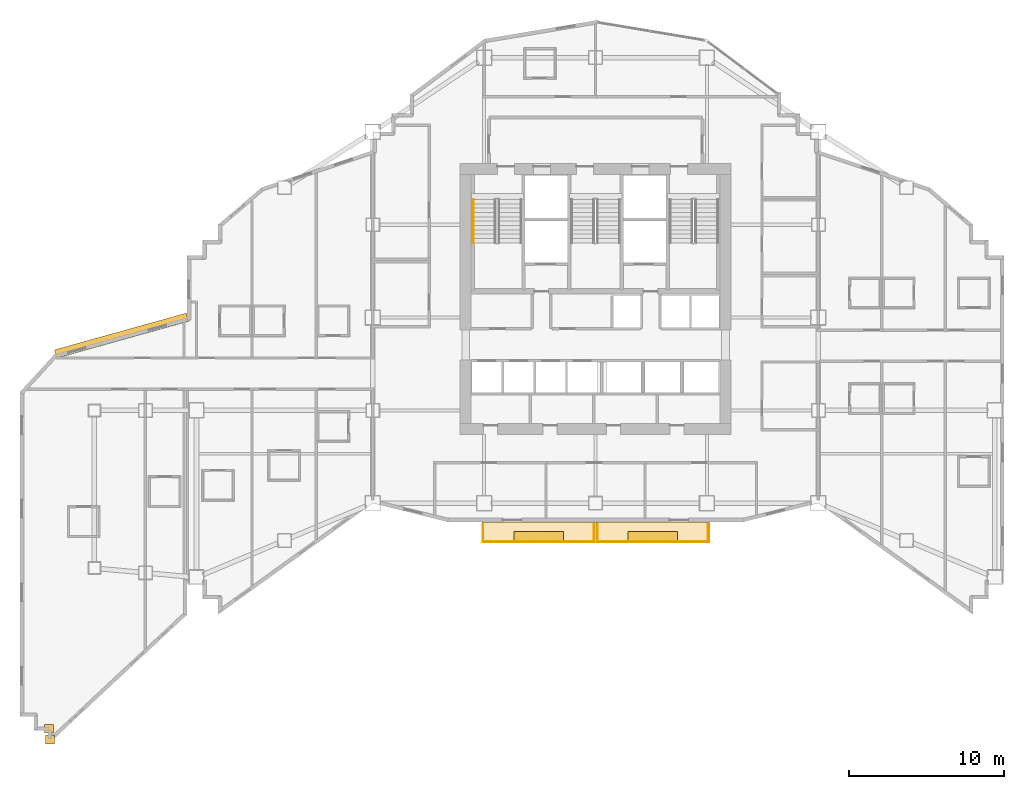
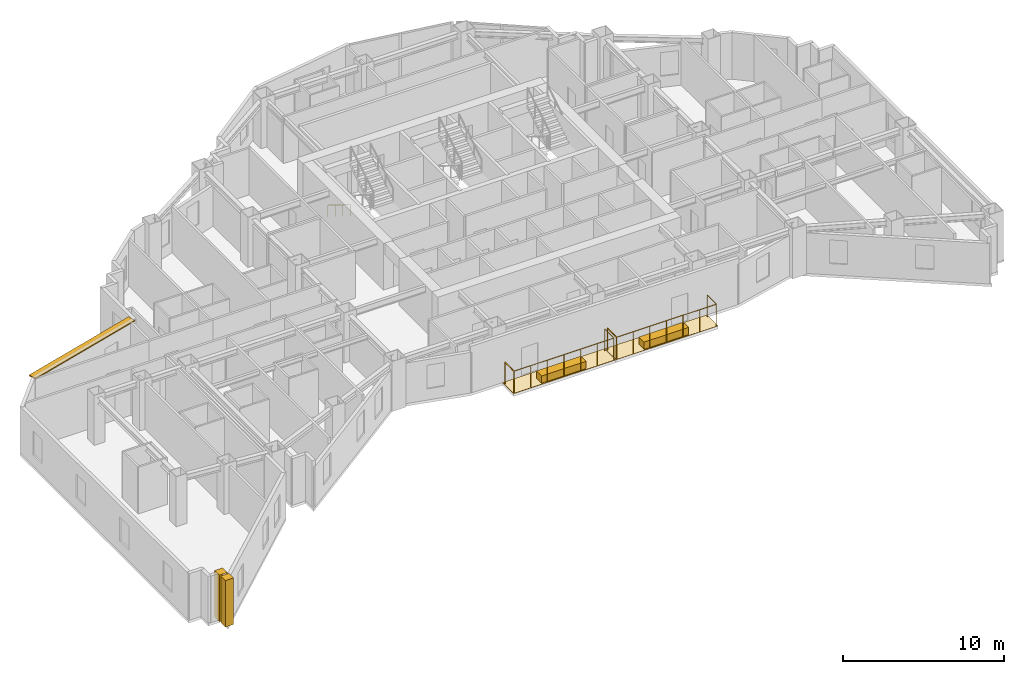
# One storey, part 14 of 15: 6 coverings, 5 railings, 1 shading device.
"""IFC4 building model written with IfcOpenShell, lengths in metres."""

from ifc_helpers import new_model, si_unit, direction, frame, origin, origin_2d, place, context, subcontext, project, spatial, polyline, rectangle, circle, outline, extrude, material, layer, layer_set, type_object, element, save


model = new_model("IFC4")

# Units and contexts
model_context = context("Model", 3, precision=1e-05, world=origin(), true_north=direction((0.0, 1.0)))
body_context = subcontext(model_context, "Body", "Model", "MODEL_VIEW")
ifc_project = project(units=[si_unit("LENGTHUNIT", "METRE"), si_unit("AREAUNIT", "SQUARE_METRE"), si_unit("VOLUMEUNIT", "CUBIC_METRE"), si_unit("PLANEANGLEUNIT", "RADIAN"), si_unit("MASSUNIT", "GRAM", prefix="KILO")], contexts=[model_context])

# Site, building, storey
site_placement = place(None, origin())
site = spatial("IfcSite", under=ifc_project, at=site_placement, CompositionType="ELEMENT")
building_placement = place(site_placement, origin())
building = spatial("IfcBuilding", under=site, at=building_placement, Name="Haolan Belvedere Tower", CompositionType="ELEMENT")
storey_placement = place(building_placement, frame((0.0, 0.0, 156.199951171875)))
storey = spatial("IfcBuildingStorey", under=building, at=storey_placement, Name="L39", CompositionType="ELEMENT", Elevation=156.199951171875)

# Coverings
ifc_material_1 = material(Name="Pale champagne-silver anodised aluminium rainscreen cladding", Category="aluminium")
ifc_layer_1 = layer(ifc_material_1, 0.034912109375, Name="Pale champagne-silver anodised aluminium rainscreen cladding")
ifc_layer_set_1 = layer_set([ifc_layer_1], Name="Pale champagne-silver anodised aluminium rainscreen cladding")
covering_type_1 = type_object("IfcCoveringType", Name="COV-CLAD-35", PredefinedType="CLADDING", material=ifc_layer_set_1)
for number, where, z_axis, x_axis, name in (
    (1, (3.077392578125, 7.02001953125, 0.0), (0.0, 0.0, 1.0), (1.0, 0.0, 0.0), "L39 pale-metal serrated corner cladding trim 1"),
    (2, (3.1201171875, 6.318603515625, 0.0), (0.0, 0.0, 1.0), (1.0, 0.0, 0.0), "L39 pale-metal serrated corner cladding trim 2"),
):
    element("IfcCovering", number, at=place(storey_placement, frame(where, z_axis=z_axis, x_axis=x_axis)), inside=storey, type_object=covering_type_1, Name=name, PredefinedType="CLADDING", context=body_context, shape_type="SweptSolid", body=[
        extrude(rectangle(XDim=0.580078125, YDim=0.580078125, at=origin_2d()), origin(), (0.0, 0.0, 1.0), 3.5400390625),
    ])
ifc_material_2 = material(Name="Engineered lightweight planted garden soil substrate", Category="masonry")
ifc_layer_2 = layer(ifc_material_2, 0.550048828125, Name="Engineered lightweight planted garden soil substrate")
ifc_layer_set_2 = layer_set([ifc_layer_2], Name="Engineered lightweight planted garden soil substrate")
covering_type_2 = type_object("IfcCoveringType", Name="COV-PLANT-550", PredefinedType="MEMBRANE", material=ifc_layer_set_2)
for number, where, z_axis, x_axis, name in (
    (3, (34.715087890625, 19.43994140625, 0.0), (0.0, 0.0, 1.0), (1.0, 0.0, 0.0), "L39 structural tree balcony PLANTER box 1"),
    (4, (42.0849609375, 19.43994140625, 0.0), (0.0, 0.0, 1.0), (1.0, 0.0, 0.0), "L39 structural tree balcony PLANTER box 2"),
):
    element("IfcCovering", number, at=place(storey_placement, frame(where, z_axis=z_axis, x_axis=x_axis)), inside=storey, type_object=covering_type_2, Name=name, PredefinedType="MEMBRANE", context=body_context, shape_type="SweptSolid", body=[
        extrude(rectangle(XDim=3.199951171875, YDim=0.64990234375, at=origin_2d()), origin(), (0.0, 0.0, 1.0), 0.550048828125),
    ])
ifc_material_3 = material(Name="Elastomeric waterproof roofing membrane and stone pavers", Category="masonry")
ifc_layer_3 = layer(ifc_material_3, 0.02001953125, Name="Elastomeric waterproof roofing membrane and stone pavers")
ifc_layer_set_3 = layer_set([ifc_layer_3], Name="Elastomeric waterproof roofing membrane and stone pavers")
covering_type_3 = type_object("IfcCoveringType", Name="COV-ROOF-20", PredefinedType="ROOFING", material=ifc_layer_set_3)
covering_1_placement = place(storey_placement, frame((0.0, 0.0, -0.02001953125)))
element("IfcCovering", 5, at=covering_1_placement, inside=storey, type_object=covering_type_3, Name="L39 tree-balcony waterproof membrane 1", PredefinedType="ROOFING", context=body_context, shape_type="SweptSolid", body=[
    extrude(outline(polyline([(31.050048828125, 19.02001953125), (38.3798828125, 19.02001953125), (38.3798828125, 20.39990234375), (31.050048828125, 20.39990234375), (31.050048828125, 19.02001953125)])), origin(), (0.0, 0.0, 1.0), 0.02001953125),
])
covering_2_placement = place(storey_placement, frame((0.0, 0.0, -0.02001953125)))
element("IfcCovering", 6, at=covering_2_placement, inside=storey, type_object=covering_type_3, Name="L39 tree-balcony waterproof membrane 2", PredefinedType="ROOFING", context=body_context, shape_type="SweptSolid", body=[
    extrude(outline(polyline([(38.419921875, 19.02001953125), (45.75, 19.02001953125), (45.75, 20.39990234375), (38.419921875, 20.39990234375), (38.419921875, 19.02001953125)])), origin(), (0.0, 0.0, 1.0), 0.02001953125),
])

# Railings
ifc_material_4 = material(Name="Brushed stainless steel 304", Category="steel")
railing_type_1 = type_object("IfcRailingType", Name="RL-STAIR-HND-900", PredefinedType="HANDRAIL", material=ifc_material_4)
railing_1_placement = place(storey_placement, frame((30.5, 41.22998046875, 0.1728515625)))
element("IfcRailing", 7, at=railing_1_placement, inside=storey, type_object=railing_type_1, Name="L39 ST1 stair handrail 1", PredefinedType="HANDRAIL", context=body_context, shape_type="SweptSolid", body=[
    extrude(circle(Radius=0.02392578125, at=origin_2d()), frame((0.0, 0.0, 0.8759765625), z_axis=(0.0, -0.851089632645, 0.525020415988), x_axis=(1.0, 0.0, 0.0)), (0.0, 0.0, 1.0), 3.2900390625),
    extrude(circle(Radius=0.02099609375, at=origin_2d()), origin(), (0.0, 0.0, 1.0), 0.851806640625),
    extrude(circle(Radius=0.02099609375, at=origin_2d()), frame((0.0, -0.933349609375, 0.57568359375)), (0.0, 0.0, 1.0), 0.851806640625),
    extrude(circle(Radius=0.02099609375, at=origin_2d()), frame((0.0, -1.86669921875, 1.151611328125)), (0.0, 0.0, 1.0), 0.851806640625),
    extrude(circle(Radius=0.02099609375, at=origin_2d()), frame((0.0, -2.800048828125, 1.727294921875)), (0.0, 0.0, 1.0), 0.851806640625),
])
ifc_material_5 = material(Name="Anodised aluminium and laminated glass balustrade", Category="aluminium")
railing_type_2 = type_object("IfcRailingType", Name="RL-TER-BAL-1150", PredefinedType="BALUSTRADE", material=ifc_material_5)
railing_2_placement = place(storey_placement, frame((31.1298828125, 19.10009765625, 0.0)))
element("IfcRailing", 8, at=railing_2_placement, inside=storey, type_object=railing_type_2, Name="L39 outdoor perimeter balustrade BAL-L39-1-1", PredefinedType="BALUSTRADE", context=body_context, shape_type="SweptSolid", body=[
    extrude(circle(Radius=0.02392578125, at=origin_2d()), frame((0.0, 0.0, 1.6259765625), z_axis=(0.0, 1.0, 0.0), x_axis=(-1.0, 0.0, 0.0)), (0.0, 0.0, 1.0), 1.119873046875),
    extrude(circle(Radius=0.02099609375, at=origin_2d()), origin(), (0.0, 0.0, 1.0), 1.601806640625),
    extrude(circle(Radius=0.02099609375, at=origin_2d()), frame((0.0, 1.119873046875, 0.0)), (0.0, 0.0, 1.0), 1.601806640625),
])
railing_3_placement = place(storey_placement, frame((38.300048828125, 20.219970703125, 0.0)))
element("IfcRailing", 9, at=railing_3_placement, inside=storey, type_object=railing_type_2, Name="L39 outdoor perimeter balustrade BAL-L39-1-2", PredefinedType="BALUSTRADE", context=body_context, shape_type="SweptSolid", body=[
    extrude(circle(Radius=0.02392578125, at=origin_2d()), frame((0.0, 0.0, 1.6259765625), z_axis=(0.0, -1.0, 0.0), x_axis=(1.0, 0.0, 0.0)), (0.0, 0.0, 1.0), 1.119873046875),
    extrude(circle(Radius=0.02392578125, at=origin_2d()), frame((0.0, -1.119873046875, 1.6259765625), z_axis=(-1.0, 0.0, 0.0), x_axis=(0.0, -1.0, 0.0)), (0.0, 0.0, 1.0), 7.170166015625),
    extrude(circle(Radius=0.02099609375, at=origin_2d()), origin(), (0.0, 0.0, 1.0), 1.601806640625),
    extrude(circle(Radius=0.02099609375, at=origin_2d()), frame((0.0, -1.119873046875, 0.0)), (0.0, 0.0, 1.0), 1.601806640625),
    extrude(circle(Radius=0.02099609375, at=origin_2d()), frame((-1.195068359375, -1.119873046875, 0.0)), (0.0, 0.0, 1.0), 1.601806640625),
    extrude(circle(Radius=0.02099609375, at=origin_2d()), frame((-2.39013671875, -1.119873046875, 0.0)), (0.0, 0.0, 1.0), 1.601806640625),
    extrude(circle(Radius=0.02099609375, at=origin_2d()), frame((-3.5849609375, -1.119873046875, 0.0)), (0.0, 0.0, 1.0), 1.601806640625),
    extrude(circle(Radius=0.02099609375, at=origin_2d()), frame((-4.780029296875, -1.119873046875, 0.0)), (0.0, 0.0, 1.0), 1.601806640625),
    extrude(circle(Radius=0.02099609375, at=origin_2d()), frame((-5.97509765625, -1.119873046875, 0.0)), (0.0, 0.0, 1.0), 1.601806640625),
    extrude(circle(Radius=0.02099609375, at=origin_2d()), frame((-7.170166015625, -1.119873046875, 0.0)), (0.0, 0.0, 1.0), 1.601806640625),
])
railing_4_placement = place(storey_placement, frame((38.5, 19.10009765625, 0.0)))
element("IfcRailing", 10, at=railing_4_placement, inside=storey, type_object=railing_type_2, Name="L39 outdoor perimeter balustrade BAL-L39-2-1", PredefinedType="BALUSTRADE", context=body_context, shape_type="SweptSolid", body=[
    extrude(circle(Radius=0.02392578125, at=origin_2d()), frame((0.0, 0.0, 1.6259765625), z_axis=(0.0, 1.0, 0.0), x_axis=(-1.0, 0.0, 0.0)), (0.0, 0.0, 1.0), 1.119873046875),
    extrude(circle(Radius=0.02099609375, at=origin_2d()), origin(), (0.0, 0.0, 1.0), 1.601806640625),
    extrude(circle(Radius=0.02099609375, at=origin_2d()), frame((0.0, 1.119873046875, 0.0)), (0.0, 0.0, 1.0), 1.601806640625),
])
railing_5_placement = place(storey_placement, frame((45.669921875, 20.219970703125, 0.0)))
element("IfcRailing", 11, at=railing_5_placement, inside=storey, type_object=railing_type_2, Name="L39 outdoor perimeter balustrade BAL-L39-2-2", PredefinedType="BALUSTRADE", context=body_context, shape_type="SweptSolid", body=[
    extrude(circle(Radius=0.02392578125, at=origin_2d()), frame((0.0, 0.0, 1.6259765625), z_axis=(0.0, -1.0, 0.0), x_axis=(1.0, 0.0, 0.0)), (0.0, 0.0, 1.0), 1.119873046875),
    extrude(circle(Radius=0.02392578125, at=origin_2d()), frame((0.0, -1.119873046875, 1.6259765625), z_axis=(-1.0, 0.0, 0.0), x_axis=(0.0, -1.0, 0.0)), (0.0, 0.0, 1.0), 7.169921875),
    extrude(circle(Radius=0.02099609375, at=origin_2d()), origin(), (0.0, 0.0, 1.0), 1.601806640625),
    extrude(circle(Radius=0.02099609375, at=origin_2d()), frame((0.0, -1.119873046875, 0.0)), (0.0, 0.0, 1.0), 1.601806640625),
    extrude(circle(Radius=0.02099609375, at=origin_2d()), frame((-1.195068359375, -1.119873046875, 0.0)), (0.0, 0.0, 1.0), 1.601806640625),
    extrude(circle(Radius=0.02099609375, at=origin_2d()), frame((-2.389892578125, -1.119873046875, 0.0)), (0.0, 0.0, 1.0), 1.601806640625),
    extrude(circle(Radius=0.02099609375, at=origin_2d()), frame((-3.5849609375, -1.119873046875, 0.0)), (0.0, 0.0, 1.0), 1.601806640625),
    extrude(circle(Radius=0.02099609375, at=origin_2d()), frame((-4.780029296875, -1.119873046875, 0.0)), (0.0, 0.0, 1.0), 1.601806640625),
    extrude(circle(Radius=0.02099609375, at=origin_2d()), frame((-5.974853515625, -1.119873046875, 0.0)), (0.0, 0.0, 1.0), 1.601806640625),
    extrude(circle(Radius=0.02099609375, at=origin_2d()), frame((-7.169921875, -1.119873046875, 0.0)), (0.0, 0.0, 1.0), 1.601806640625),
])

# Shading device
ifc_material_6 = material(Name="Anodised champagne-silver aluminium 6063-T6", Category="aluminium")
ifc_layer_4 = layer(ifc_material_6, 0.080078125, Name="Anodised champagne-silver aluminium 6063-T6")
ifc_layer_set_4 = layer_set([ifc_layer_4], Name="Anodised champagne-silver aluminium 6063-T6")
shading_device_type = type_object("IfcShadingDeviceType", Name="SHD-SUN-550", PredefinedType="USERDEFINED", material=ifc_layer_set_4)
shading_device_placement = place(storey_placement, frame((7.7548828125, 32.43603515625, 3.43994140625), z_axis=(0.0, 0.0, 1.0), x_axis=(-0.963195414363, -0.268802146102, 0.0)))
element("IfcShadingDevice", 12, at=shading_device_placement, inside=storey, type_object=shading_device_type, Name="L39 pale-metal horizontal SUNSHADE band 42.1", ObjectType="SUNSHADE", PredefinedType="USERDEFINED", context=body_context, shape_type="SweptSolid", body=[
    extrude(rectangle(XDim=8.85546875, YDim=0.550048828125, at=origin_2d()), origin(), (0.0, 0.0, 1.0), 0.080078125),
])

save(model, "model.ifc")
